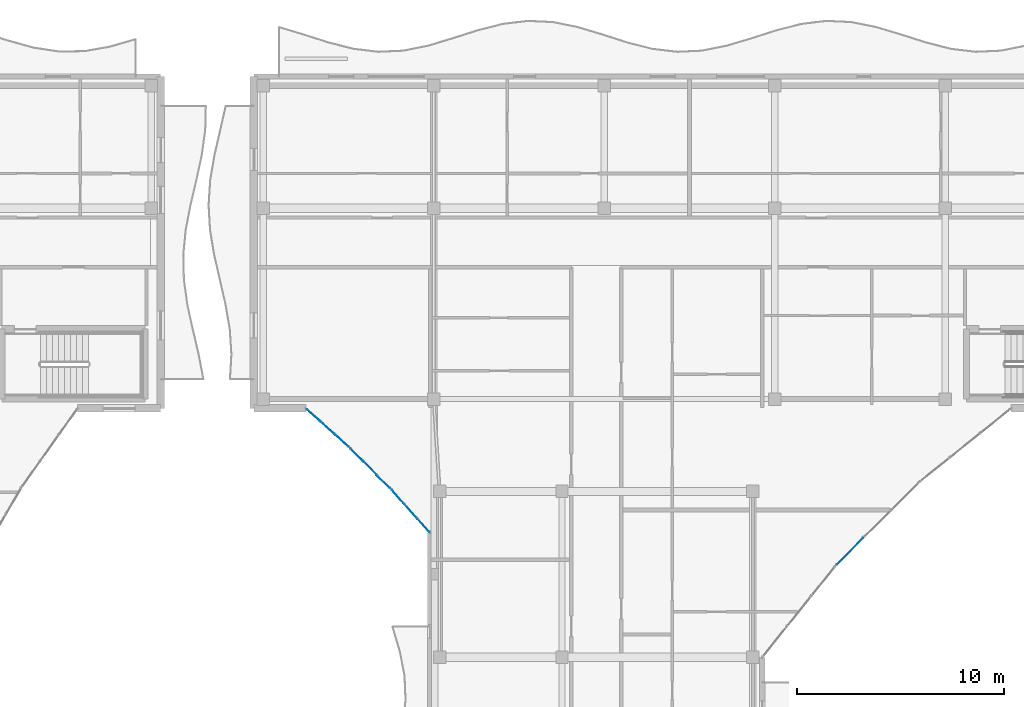
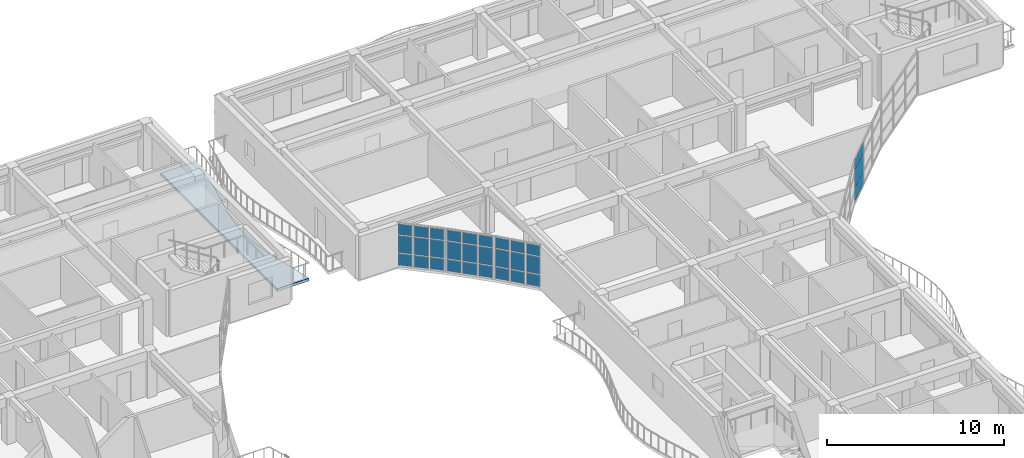
# One storey, part 31 of 79: 30 plates, 1 slab, 4 elements without a shape of their own.
"""IFC4 building model written with IfcOpenShell, lengths in metres."""

from ifc_helpers import new_model, si_unit, direction, frame, origin, origin_2d, place, context, subcontext, project, spatial, polyline, rectangle, outline, extrude, material, layer, layer_set, type_object, element, aggregate, save


model = new_model("IFC4")

# Units and contexts
model_context = context("Model", 3, precision=1e-05, world=origin(), true_north=direction((0.0, 1.0)))
body_context = subcontext(model_context, "Body", "Model", "MODEL_VIEW")
ifc_project = project(units=[si_unit("LENGTHUNIT", "METRE"), si_unit("AREAUNIT", "SQUARE_METRE"), si_unit("VOLUMEUNIT", "CUBIC_METRE"), si_unit("PLANEANGLEUNIT", "RADIAN"), si_unit("MASSUNIT", "GRAM", prefix="KILO")], contexts=[model_context])

# Site, building, storey
site_placement = place(None, origin())
site = spatial("IfcSite", under=ifc_project, at=site_placement, CompositionType="ELEMENT")
building_placement = place(site_placement, origin())
building = spatial("IfcBuilding", under=site, at=building_placement, Name="Keldmere Railside Commons", CompositionType="ELEMENT")
storey_placement = place(building_placement, frame((0.0, 0.0, 10.56005859375)))
storey = spatial("IfcBuildingStorey", under=building, at=storey_placement, Name="L03", CompositionType="ELEMENT", Elevation=10.56005859375)

# Curtain wall, plates
ifc_material_1 = material(Name="Thermally Broken Aluminium", Category="aluminium")
ifc_layer_1 = layer(ifc_material_1, 0.159912109375, Name="Court Chord Wintergarden CW 4800x2850")
ifc_layer_set_1 = layer_set([ifc_layer_1], Name="Thermally Broken Aluminium")
curtain_wall_type_1 = type_object("IfcCurtainWallType", Name="Court Chord Wintergarden CW 4800x2850", PredefinedType="NOTDEFINED", material=ifc_layer_set_1)
curtain_wall_1_placement = place(storey_placement, origin())
curtain_wall_1 = element("IfcCurtainWall", 1, at=curtain_wall_1_placement, inside=storey, type_object=curtain_wall_type_1, Name="CW-12 CW-L03-046", PredefinedType="NOTDEFINED")
ifc_material_2 = material(Name="Low-E Insulated Double Glazing", Category="glass")
ifc_layer_2 = layer(ifc_material_2, 0.033935546875, Name="Acoustic Laminated Vision Panel 34")
ifc_layer_set_2 = layer_set([ifc_layer_2], Name="Low-E Insulated Double Glazing")
plate_type_1 = type_object("IfcPlateType", Name="Acoustic Laminated Vision Panel 34", PredefinedType="CURTAIN_PANEL", material=ifc_layer_set_2)
plate_1_placement = place(storey_placement, frame((43.74462890625, 98.435791015625, 0.06494140625), z_axis=(0.0, 0.0, 1.0), x_axis=(-0.744557333277, 0.667558519879, 0.0)))
plate_1 = element("IfcPlate", 2, at=plate_1_placement, type_object=plate_type_1, Name="CW-12 panel 1.1", PredefinedType="CURTAIN_PANEL", context=body_context, shape_type="SweptSolid", body=[
    extrude(rectangle(XDim=0.84619140625, YDim=0.033935546875, at=origin_2d()), origin(), (0.0, 0.0, 1.0), 0.802490234375),
])
plate_2_placement = place(storey_placement, frame((43.74462890625, 98.435791015625, 0.932373046875), z_axis=(0.0, 0.0, 1.0), x_axis=(-0.744557333277, 0.667558519879, 0.0)))
plate_2 = element("IfcPlate", 3, at=plate_2_placement, type_object=plate_type_1, Name="CW-12 panel 1.2", PredefinedType="CURTAIN_PANEL", context=body_context, shape_type="SweptSolid", body=[
    extrude(rectangle(XDim=0.84619140625, YDim=0.033935546875, at=origin_2d()), origin(), (0.0, 0.0, 1.0), 1.18505859375),
])
plate_3_placement = place(storey_placement, frame((43.74462890625, 98.435791015625, 2.182373046875), z_axis=(0.0, 0.0, 1.0), x_axis=(-0.744557333277, 0.667558519879, 0.0)))
plate_3 = element("IfcPlate", 4, at=plate_3_placement, type_object=plate_type_1, Name="CW-12 panel 1.3", PredefinedType="CURTAIN_PANEL", context=body_context, shape_type="SweptSolid", body=[
    extrude(rectangle(XDim=0.84619140625, YDim=0.033935546875, at=origin_2d()), origin(), (0.0, 0.0, 1.0), 0.732421875),
])
plate_4_placement = place(storey_placement, frame((43.053955078125, 99.054931640625, 0.06494140625), z_axis=(0.0, 0.0, 1.0), x_axis=(-0.744557333277, 0.667558519879, 0.0)))
plate_4 = element("IfcPlate", 5, at=plate_4_placement, type_object=plate_type_1, Name="CW-12 panel 2.1", PredefinedType="CURTAIN_PANEL", context=body_context, shape_type="SweptSolid", body=[
    extrude(rectangle(XDim=0.878662109375, YDim=0.033935546875, at=origin_2d()), origin(), (0.0, 0.0, 1.0), 0.802490234375),
])
plate_5_placement = place(storey_placement, frame((43.053955078125, 99.054931640625, 0.932373046875), z_axis=(0.0, 0.0, 1.0), x_axis=(-0.744557333277, 0.667558519879, 0.0)))
plate_5 = element("IfcPlate", 6, at=plate_5_placement, type_object=plate_type_1, Name="CW-12 panel 2.2", PredefinedType="CURTAIN_PANEL", context=body_context, shape_type="SweptSolid", body=[
    extrude(rectangle(XDim=0.878662109375, YDim=0.033935546875, at=origin_2d()), origin(), (0.0, 0.0, 1.0), 1.18505859375),
])
plate_6_placement = place(storey_placement, frame((43.053955078125, 99.054931640625, 2.182373046875), z_axis=(0.0, 0.0, 1.0), x_axis=(-0.744557333277, 0.667558519879, 0.0)))
plate_6 = element("IfcPlate", 7, at=plate_6_placement, type_object=plate_type_1, Name="CW-12 panel 2.3", PredefinedType="CURTAIN_PANEL", context=body_context, shape_type="SweptSolid", body=[
    extrude(rectangle(XDim=0.878662109375, YDim=0.033935546875, at=origin_2d()), origin(), (0.0, 0.0, 1.0), 0.732421875),
])
plate_7_placement = place(storey_placement, frame((42.363525390625, 99.674072265625, 0.06494140625), z_axis=(0.0, 0.0, 1.0), x_axis=(-0.744557333277, 0.667558519879, 0.0)))
plate_7 = element("IfcPlate", 8, at=plate_7_placement, type_object=plate_type_1, Name="CW-12 panel 3.1", PredefinedType="CURTAIN_PANEL", context=body_context, shape_type="SweptSolid", body=[
    extrude(rectangle(XDim=0.84619140625, YDim=0.033935546875, at=origin_2d()), origin(), (0.0, 0.0, 1.0), 0.802490234375),
])
plate_8_placement = place(storey_placement, frame((42.363525390625, 99.674072265625, 0.932373046875), z_axis=(0.0, 0.0, 1.0), x_axis=(-0.744557333277, 0.667558519879, 0.0)))
plate_8 = element("IfcPlate", 9, at=plate_8_placement, type_object=plate_type_1, Name="CW-12 panel 3.2", PredefinedType="CURTAIN_PANEL", context=body_context, shape_type="SweptSolid", body=[
    extrude(rectangle(XDim=0.84619140625, YDim=0.033935546875, at=origin_2d()), origin(), (0.0, 0.0, 1.0), 1.18505859375),
])
plate_9_placement = place(storey_placement, frame((42.363525390625, 99.674072265625, 2.182373046875), z_axis=(0.0, 0.0, 1.0), x_axis=(-0.744557333277, 0.667558519879, 0.0)))
plate_9 = element("IfcPlate", 10, at=plate_9_placement, type_object=plate_type_1, Name="CW-12 panel 3.3", PredefinedType="CURTAIN_PANEL", context=body_context, shape_type="SweptSolid", body=[
    extrude(rectangle(XDim=0.84619140625, YDim=0.033935546875, at=origin_2d()), origin(), (0.0, 0.0, 1.0), 0.732421875),
])
aggregate(curtain_wall_1, [plate_1, plate_2, plate_3, plate_4, plate_5, plate_6, plate_7, plate_8, plate_9])

ifc_layer_3 = layer(ifc_material_1, 0.159912109375, Name="Court Chord Wintergarden CW 5400x2850")
ifc_layer_set_3 = layer_set([ifc_layer_3], Name="Thermally Broken Aluminium")
curtain_wall_type_2 = type_object("IfcCurtainWallType", Name="Court Chord Wintergarden CW 5400x2850", PredefinedType="NOTDEFINED", material=ifc_layer_set_3)
curtain_wall_2_placement = place(storey_placement, origin())
curtain_wall_2 = element("IfcCurtainWall", 11, at=curtain_wall_2_placement, inside=storey, type_object=curtain_wall_type_2, Name="CW-13 CW-L03-044", PredefinedType="NOTDEFINED")
ifc_layer_4 = layer(ifc_material_2, 0.031982421875, Name="Clerestory Solar-Control Vision Panel 32")
ifc_layer_set_4 = layer_set([ifc_layer_4], Name="Low-E Insulated Double Glazing")
plate_type_2 = type_object("IfcPlateType", Name="Clerestory Solar-Control Vision Panel 32", PredefinedType="CURTAIN_PANEL", material=ifc_layer_set_4)
plate_10_placement = place(storey_placement, frame((68.23486328125, 93.11083984375, 0.06494140625), z_axis=(0.0, 0.0, 1.0), x_axis=(-0.707106781187, -0.707106781187, 0.0)))
plate_10 = element("IfcPlate", 12, at=plate_10_placement, type_object=plate_type_2, Name="CW-13 panel 3.1", PredefinedType="CURTAIN_PANEL", context=body_context, shape_type="SweptSolid", body=[
    extrude(rectangle(XDim=1.795654296875, YDim=0.031982421875, at=origin_2d()), origin(), (0.0, 0.0, 1.0), 0.802490234375),
])
plate_11_placement = place(storey_placement, frame((68.23486328125, 93.11083984375, 0.932373046875), z_axis=(0.0, 0.0, 1.0), x_axis=(-0.707106781187, -0.707106781187, 0.0)))
plate_11 = element("IfcPlate", 13, at=plate_11_placement, type_object=plate_type_2, Name="CW-13 panel 3.2", PredefinedType="CURTAIN_PANEL", context=body_context, shape_type="SweptSolid", body=[
    extrude(rectangle(XDim=1.795654296875, YDim=0.031982421875, at=origin_2d()), origin(), (0.0, 0.0, 1.0), 1.18505859375),
])
plate_12_placement = place(storey_placement, frame((68.23486328125, 93.11083984375, 2.182373046875), z_axis=(0.0, 0.0, 1.0), x_axis=(-0.707106781187, -0.707106781187, 0.0)))
plate_12 = element("IfcPlate", 14, at=plate_12_placement, type_object=plate_type_2, Name="CW-13 panel 3.3", PredefinedType="CURTAIN_PANEL", context=body_context, shape_type="SweptSolid", body=[
    extrude(rectangle(XDim=1.795654296875, YDim=0.031982421875, at=origin_2d()), origin(), (0.0, 0.0, 1.0), 0.732421875),
])
aggregate(curtain_wall_2, [plate_10, plate_11, plate_12])

curtain_wall_3_placement = place(storey_placement, origin())
curtain_wall_3 = element("IfcCurtainWall", 15, at=curtain_wall_3_placement, inside=storey, type_object=curtain_wall_type_2, Name="CW-13 CW-L03-047", PredefinedType="NOTDEFINED")
plate_13_placement = place(storey_placement, frame((45.764892578125, 96.453125, 0.06494140625), z_axis=(0.0, 0.0, 1.0), x_axis=(-0.707106781187, 0.707106781187, 0.0)))
plate_13 = element("IfcPlate", 16, at=plate_13_placement, type_object=plate_type_2, Name="CW-13 panel 1.1", PredefinedType="CURTAIN_PANEL", context=body_context, shape_type="SweptSolid", body=[
    extrude(rectangle(XDim=0.84619140625, YDim=0.031982421875, at=origin_2d()), origin(), (0.0, 0.0, 1.0), 0.802490234375),
])
plate_14_placement = place(storey_placement, frame((45.764892578125, 96.453125, 0.932373046875), z_axis=(0.0, 0.0, 1.0), x_axis=(-0.707106781187, 0.707106781187, 0.0)))
plate_14 = element("IfcPlate", 17, at=plate_14_placement, type_object=plate_type_2, Name="CW-13 panel 1.2", PredefinedType="CURTAIN_PANEL", context=body_context, shape_type="SweptSolid", body=[
    extrude(rectangle(XDim=0.84619140625, YDim=0.031982421875, at=origin_2d()), origin(), (0.0, 0.0, 1.0), 1.18505859375),
])
plate_15_placement = place(storey_placement, frame((45.764892578125, 96.453125, 2.182373046875), z_axis=(0.0, 0.0, 1.0), x_axis=(-0.707106781187, 0.707106781187, 0.0)))
plate_15 = element("IfcPlate", 18, at=plate_15_placement, type_object=plate_type_2, Name="CW-13 panel 1.3", PredefinedType="CURTAIN_PANEL", context=body_context, shape_type="SweptSolid", body=[
    extrude(rectangle(XDim=0.84619140625, YDim=0.031982421875, at=origin_2d()), origin(), (0.0, 0.0, 1.0), 0.732421875),
])
plate_16_placement = place(storey_placement, frame((45.10888671875, 97.10888671875, 0.06494140625), z_axis=(0.0, 0.0, 1.0), x_axis=(-0.707106781187, 0.707106781187, 0.0)))
plate_16 = element("IfcPlate", 19, at=plate_16_placement, type_object=plate_type_2, Name="CW-13 panel 2.1", PredefinedType="CURTAIN_PANEL", context=body_context, shape_type="SweptSolid", body=[
    extrude(rectangle(XDim=0.878662109375, YDim=0.031982421875, at=origin_2d()), origin(), (0.0, 0.0, 1.0), 0.802490234375),
])
plate_17_placement = place(storey_placement, frame((45.10888671875, 97.10888671875, 0.932373046875), z_axis=(0.0, 0.0, 1.0), x_axis=(-0.707106781187, 0.707106781187, 0.0)))
plate_17 = element("IfcPlate", 20, at=plate_17_placement, type_object=plate_type_2, Name="CW-13 panel 2.2", PredefinedType="CURTAIN_PANEL", context=body_context, shape_type="SweptSolid", body=[
    extrude(rectangle(XDim=0.878662109375, YDim=0.031982421875, at=origin_2d()), origin(), (0.0, 0.0, 1.0), 1.18505859375),
])
plate_18_placement = place(storey_placement, frame((45.10888671875, 97.10888671875, 2.182373046875), z_axis=(0.0, 0.0, 1.0), x_axis=(-0.707106781187, 0.707106781187, 0.0)))
plate_18 = element("IfcPlate", 21, at=plate_18_placement, type_object=plate_type_2, Name="CW-13 panel 2.3", PredefinedType="CURTAIN_PANEL", context=body_context, shape_type="SweptSolid", body=[
    extrude(rectangle(XDim=0.878662109375, YDim=0.031982421875, at=origin_2d()), origin(), (0.0, 0.0, 1.0), 0.732421875),
])
plate_19_placement = place(storey_placement, frame((44.453125, 97.764892578125, 0.06494140625), z_axis=(0.0, 0.0, 1.0), x_axis=(-0.707106781187, 0.707106781187, 0.0)))
plate_19 = element("IfcPlate", 22, at=plate_19_placement, type_object=plate_type_2, Name="CW-13 panel 3.1", PredefinedType="CURTAIN_PANEL", context=body_context, shape_type="SweptSolid", body=[
    extrude(rectangle(XDim=0.84619140625, YDim=0.031982421875, at=origin_2d()), origin(), (0.0, 0.0, 1.0), 0.802490234375),
])
plate_20_placement = place(storey_placement, frame((44.453125, 97.764892578125, 0.932373046875), z_axis=(0.0, 0.0, 1.0), x_axis=(-0.707106781187, 0.707106781187, 0.0)))
plate_20 = element("IfcPlate", 23, at=plate_20_placement, type_object=plate_type_2, Name="CW-13 panel 3.2", PredefinedType="CURTAIN_PANEL", context=body_context, shape_type="SweptSolid", body=[
    extrude(rectangle(XDim=0.84619140625, YDim=0.031982421875, at=origin_2d()), origin(), (0.0, 0.0, 1.0), 1.18505859375),
])
plate_21_placement = place(storey_placement, frame((44.453125, 97.764892578125, 2.182373046875), z_axis=(0.0, 0.0, 1.0), x_axis=(-0.707106781187, 0.707106781187, 0.0)))
plate_21 = element("IfcPlate", 24, at=plate_21_placement, type_object=plate_type_2, Name="CW-13 panel 3.3", PredefinedType="CURTAIN_PANEL", context=body_context, shape_type="SweptSolid", body=[
    extrude(rectangle(XDim=0.84619140625, YDim=0.031982421875, at=origin_2d()), origin(), (0.0, 0.0, 1.0), 0.732421875),
])
aggregate(curtain_wall_3, [plate_13, plate_14, plate_15, plate_16, plate_17, plate_18, plate_19, plate_20, plate_21])

curtain_wall_4_placement = place(storey_placement, origin())
curtain_wall_4 = element("IfcCurtainWall", 25, at=curtain_wall_4_placement, inside=storey, type_object=curtain_wall_type_1, Name="CW-12 CW-L03-048", PredefinedType="NOTDEFINED")
ifc_layer_5 = layer(ifc_material_2, 0.028076171875, Name="Low-E Vision Glazing Panel 28")
ifc_layer_set_5 = layer_set([ifc_layer_5], Name="Low-E Insulated Double Glazing")
plate_type_3 = type_object("IfcPlateType", Name="Low-E Vision Glazing Panel 28", PredefinedType="CURTAIN_PANEL", material=ifc_layer_set_5)
plate_22_placement = place(storey_placement, frame((47.674072265625, 94.363525390625, 0.06494140625), z_axis=(0.0, 0.0, 1.0), x_axis=(-0.667558519879, 0.744557333277, 0.0)))
plate_22 = element("IfcPlate", 26, at=plate_22_placement, type_object=plate_type_3, Name="CW-12 panel 1.1", PredefinedType="CURTAIN_PANEL", context=body_context, shape_type="SweptSolid", body=[
    extrude(rectangle(XDim=0.84619140625, YDim=0.028076171875, at=origin_2d()), origin(), (0.0, 0.0, 1.0), 0.802490234375),
])
plate_23_placement = place(storey_placement, frame((47.674072265625, 94.363525390625, 0.932373046875), z_axis=(0.0, 0.0, 1.0), x_axis=(-0.667558519879, 0.744557333277, 0.0)))
plate_23 = element("IfcPlate", 27, at=plate_23_placement, type_object=plate_type_3, Name="CW-12 panel 1.2", PredefinedType="CURTAIN_PANEL", context=body_context, shape_type="SweptSolid", body=[
    extrude(rectangle(XDim=0.84619140625, YDim=0.028076171875, at=origin_2d()), origin(), (0.0, 0.0, 1.0), 1.18505859375),
])
plate_24_placement = place(storey_placement, frame((47.674072265625, 94.363525390625, 2.182373046875), z_axis=(0.0, 0.0, 1.0), x_axis=(-0.667558519879, 0.744557333277, 0.0)))
plate_24 = element("IfcPlate", 28, at=plate_24_placement, type_object=plate_type_3, Name="CW-12 panel 1.3", PredefinedType="CURTAIN_PANEL", context=body_context, shape_type="SweptSolid", body=[
    extrude(rectangle(XDim=0.84619140625, YDim=0.028076171875, at=origin_2d()), origin(), (0.0, 0.0, 1.0), 0.732421875),
])
plate_25_placement = place(storey_placement, frame((47.054931640625, 95.053955078125, 0.06494140625), z_axis=(0.0, 0.0, 1.0), x_axis=(-0.667558519879, 0.744557333277, 0.0)))
plate_25 = element("IfcPlate", 29, at=plate_25_placement, type_object=plate_type_3, Name="CW-12 panel 2.1", PredefinedType="CURTAIN_PANEL", context=body_context, shape_type="SweptSolid", body=[
    extrude(rectangle(XDim=0.878662109375, YDim=0.028076171875, at=origin_2d()), origin(), (0.0, 0.0, 1.0), 0.802490234375),
])
plate_26_placement = place(storey_placement, frame((47.054931640625, 95.053955078125, 0.932373046875), z_axis=(0.0, 0.0, 1.0), x_axis=(-0.667558519879, 0.744557333277, 0.0)))
plate_26 = element("IfcPlate", 30, at=plate_26_placement, type_object=plate_type_3, Name="CW-12 panel 2.2", PredefinedType="CURTAIN_PANEL", context=body_context, shape_type="SweptSolid", body=[
    extrude(rectangle(XDim=0.878662109375, YDim=0.028076171875, at=origin_2d()), origin(), (0.0, 0.0, 1.0), 1.18505859375),
])
plate_27_placement = place(storey_placement, frame((47.054931640625, 95.053955078125, 2.182373046875), z_axis=(0.0, 0.0, 1.0), x_axis=(-0.667558519879, 0.744557333277, 0.0)))
plate_27 = element("IfcPlate", 31, at=plate_27_placement, type_object=plate_type_3, Name="CW-12 panel 2.3", PredefinedType="CURTAIN_PANEL", context=body_context, shape_type="SweptSolid", body=[
    extrude(rectangle(XDim=0.878662109375, YDim=0.028076171875, at=origin_2d()), origin(), (0.0, 0.0, 1.0), 0.732421875),
])
plate_28_placement = place(storey_placement, frame((46.435791015625, 95.74462890625, 0.06494140625), z_axis=(0.0, 0.0, 1.0), x_axis=(-0.667558519879, 0.744557333277, 0.0)))
plate_28 = element("IfcPlate", 32, at=plate_28_placement, type_object=plate_type_3, Name="CW-12 panel 3.1", PredefinedType="CURTAIN_PANEL", context=body_context, shape_type="SweptSolid", body=[
    extrude(rectangle(XDim=0.84619140625, YDim=0.028076171875, at=origin_2d()), origin(), (0.0, 0.0, 1.0), 0.802490234375),
])
plate_29_placement = place(storey_placement, frame((46.435791015625, 95.74462890625, 0.932373046875), z_axis=(0.0, 0.0, 1.0), x_axis=(-0.667558519879, 0.744557333277, 0.0)))
plate_29 = element("IfcPlate", 33, at=plate_29_placement, type_object=plate_type_3, Name="CW-12 panel 3.2", PredefinedType="CURTAIN_PANEL", context=body_context, shape_type="SweptSolid", body=[
    extrude(rectangle(XDim=0.84619140625, YDim=0.028076171875, at=origin_2d()), origin(), (0.0, 0.0, 1.0), 1.18505859375),
])
plate_30_placement = place(storey_placement, frame((46.435791015625, 95.74462890625, 2.182373046875), z_axis=(0.0, 0.0, 1.0), x_axis=(-0.667558519879, 0.744557333277, 0.0)))
plate_30 = element("IfcPlate", 34, at=plate_30_placement, type_object=plate_type_3, Name="CW-12 panel 3.3", PredefinedType="CURTAIN_PANEL", context=body_context, shape_type="SweptSolid", body=[
    extrude(rectangle(XDim=0.84619140625, YDim=0.028076171875, at=origin_2d()), origin(), (0.0, 0.0, 1.0), 0.732421875),
])
aggregate(curtain_wall_4, [plate_22, plate_23, plate_24, plate_25, plate_26, plate_27, plate_28, plate_29, plate_30])

# Slab
ifc_material_3 = material(Name="White Precast Concrete H-35 (C35/45)", Category="concrete")
ifc_layer_6 = layer(ifc_material_3, 0.179931640625, Name="Sinusoidal Wave Balcony Slab 180")
ifc_layer_set_6 = layer_set([ifc_layer_6], Name="White Precast Concrete H-35 (C35/45)")
slab_type = type_object("IfcSlabType", Name="Sinusoidal Wave Balcony Slab 180", PredefinedType="FLOOR", material=ifc_layer_set_6)
slab_placement = place(storey_placement, frame((0.0, 0.0, -0.18017578125)))
element("IfcSlab", 35, at=slab_placement, inside=storey, type_object=slab_type, Name="WB-1 D L03 WE Wave Balcony", PredefinedType="FLOOR", context=body_context, shape_type="SweptSolid", body=[
    extrude(outline(polyline([(37.077880859375, 101.39990234375), (36.847900390625, 102.60009765625), (36.564697265625, 103.800048828125), (36.304443359375, 105.0), (36.13671875, 106.199951171875), (36.106689453125, 107.39990234375), (36.22216796875, 108.60009765625), (36.4521484375, 109.800048828125), (36.735107421875, 111.0), (36.99560546875, 112.199951171875), (37.1630859375, 113.39990234375), (37.193359375, 114.60009765625), (35.0, 114.60009765625), (35.0, 113.39990234375), (35.0, 112.199951171875), (35.0, 111.0), (35.0, 109.800048828125), (35.0, 108.60009765625), (35.0, 107.39990234375), (35.0, 106.199951171875), (35.0, 105.0), (35.0, 103.800048828125), (35.0, 102.60009765625), (35.0, 101.39990234375), (37.077880859375, 101.39990234375)])), origin(), (0.0, 0.0, 1.0), 0.18017578125),
])

save(model, "model.ifc")
